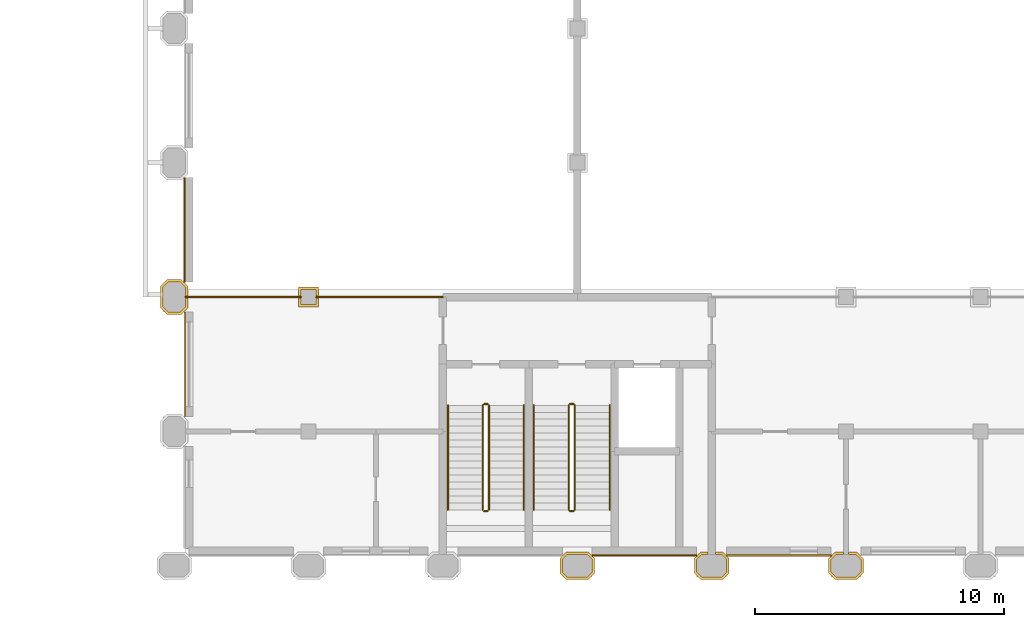
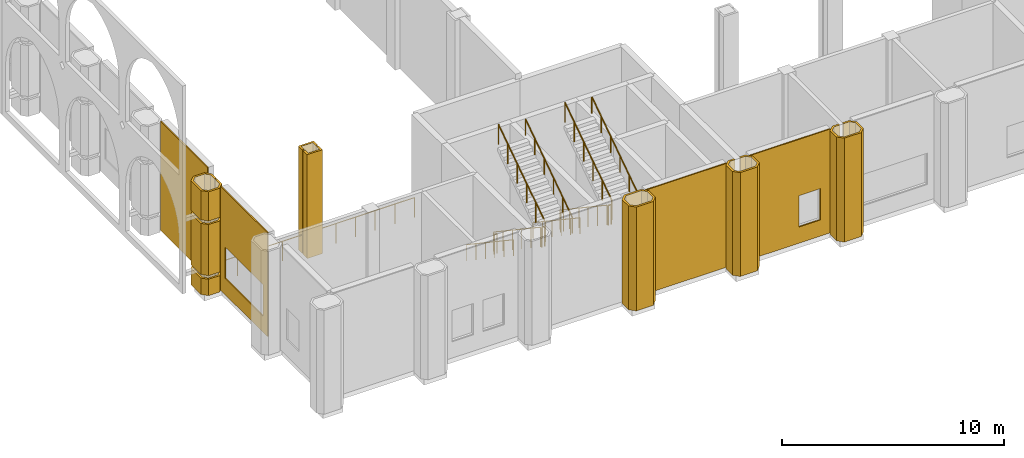
# One storey, part 29 of 34: 14 railings, 12 coverings.
"""IFC4 building model written with IfcOpenShell, lengths in metres."""

from ifc_helpers import new_model, si_unit, direction, frame, frame_2d, origin, origin_2d, place, context, subcontext, project, spatial, polyline, rectangle, circle, outline, extrude, material, layer, layer_set, type_object, element, save


model = new_model("IFC4")

# Units and contexts
model_context = context("Model", 3, precision=1e-05, world=origin(), true_north=direction((0.0, 1.0)))
body_context = subcontext(model_context, "Body", "Model", "MODEL_VIEW")
ifc_project = project(units=[si_unit("LENGTHUNIT", "METRE"), si_unit("AREAUNIT", "SQUARE_METRE"), si_unit("VOLUMEUNIT", "CUBIC_METRE"), si_unit("PLANEANGLEUNIT", "RADIAN"), si_unit("MASSUNIT", "GRAM", prefix="KILO")], contexts=[model_context])

# Site, building, storey
site_placement = place(None, origin())
site = spatial("IfcSite", under=ifc_project, at=site_placement, CompositionType="ELEMENT")
building_placement = place(site_placement, origin())
building = spatial("IfcBuilding", under=site, at=building_placement, Name="Tabaq Tower and Sports Hall", CompositionType="ELEMENT")
storey_placement = place(building_placement, frame((0.0, 0.0, 8.39990234375)))
storey = spatial("IfcBuildingStorey", under=building, at=storey_placement, Name="L01", CompositionType="ELEMENT", Elevation=8.39990234375)

# Coverings
ifc_material_1 = material(Name="Precast concrete C60/75", Category="concrete")
ifc_layer_1 = layer(ifc_material_1, 0.10009765625)
ifc_layer_set_1 = layer_set([ifc_layer_1], Name="Column cladding 100")
covering_type_1 = type_object("IfcCoveringType", Name="Column cladding 100", PredefinedType="CLADDING", material=ifc_layer_set_1)
covering_1_placement = place(storey_placement, origin())
element("IfcCovering", 1, at=covering_1_placement, inside=storey, type_object=covering_type_1, Name="Column cladding L01 HC-13C", PredefinedType="CLADDING", context=body_context, shape_type="SweptSolid", body=[
    extrude(outline(polyline([(64.5087890625, 10.100341796875), (64.250244140625, 10.358642578125), (64.250244140625, 11.2412109375), (64.5087890625, 11.499755859375), (65.09130859375, 11.499755859375), (65.349609375, 11.2412109375), (65.349609375, 10.84033203125), (65.250244140625, 10.84033203125), (65.250244140625, 11.2001953125), (65.050048828125, 11.400390625), (64.5498046875, 11.400390625), (64.349609375, 11.2001953125), (64.349609375, 10.39990234375), (64.5498046875, 10.19970703125), (65.050048828125, 10.19970703125), (65.250244140625, 10.39990234375), (65.250244140625, 10.759765625), (65.349609375, 10.759765625), (65.349609375, 10.358642578125), (65.09130859375, 10.100341796875), (64.5087890625, 10.100341796875)])), origin(), (0.0, 0.0, 1.0), 0.900146484375),
])
covering_2_placement = place(storey_placement, frame((0.0, 0.0, 1.10009765625)))
element("IfcCovering", 2, at=covering_2_placement, inside=storey, type_object=covering_type_1, Name="Column cladding L01 HC-13C 2", PredefinedType="CLADDING", context=body_context, shape_type="SweptSolid", body=[
    extrude(outline(polyline([(64.5087890625, 10.100341796875), (64.250244140625, 10.358642578125), (64.250244140625, 11.2412109375), (64.5087890625, 11.499755859375), (65.09130859375, 11.499755859375), (65.349609375, 11.2412109375), (65.349609375, 10.84033203125), (65.250244140625, 10.84033203125), (65.250244140625, 11.2001953125), (65.050048828125, 11.400390625), (64.5498046875, 11.400390625), (64.349609375, 11.2001953125), (64.349609375, 10.39990234375), (64.5498046875, 10.19970703125), (65.050048828125, 10.19970703125), (65.250244140625, 10.39990234375), (65.250244140625, 10.759765625), (65.349609375, 10.759765625), (65.349609375, 10.358642578125), (65.09130859375, 10.100341796875), (64.5087890625, 10.100341796875)])), origin(), (0.0, 0.0, 1.0), 2.800048828125),
])
covering_3_placement = place(storey_placement, frame((0.0, 0.0, 4.10009765625)))
element("IfcCovering", 3, at=covering_3_placement, inside=storey, type_object=covering_type_1, Name="Column cladding L01 HC-13C 3", PredefinedType="CLADDING", context=body_context, shape_type="SweptSolid", body=[
    extrude(outline(polyline([(64.5087890625, 10.100341796875), (64.250244140625, 10.358642578125), (64.250244140625, 11.2412109375), (64.5087890625, 11.499755859375), (65.09130859375, 11.499755859375), (65.349609375, 11.2412109375), (65.349609375, 10.84033203125), (65.250244140625, 10.84033203125), (65.250244140625, 11.2001953125), (65.050048828125, 11.400390625), (64.5498046875, 11.400390625), (64.349609375, 11.2001953125), (64.349609375, 10.39990234375), (64.5498046875, 10.19970703125), (65.050048828125, 10.19970703125), (65.250244140625, 10.39990234375), (65.250244140625, 10.759765625), (65.349609375, 10.759765625), (65.349609375, 10.358642578125), (65.09130859375, 10.100341796875), (64.5087890625, 10.100341796875)])), origin(), (0.0, 0.0, 1.0), 1.60009765625),
])
covering_4_placement = place(storey_placement, origin())
element("IfcCovering", 4, at=covering_4_placement, inside=storey, type_object=covering_type_1, Name="Column cladding L01 HC-14C", PredefinedType="CLADDING", context=body_context, shape_type="SweptSolid", body=[
    extrude(outline(polyline([(70.599609375, 11.19970703125), (70.599609375, 10.84033203125), (70.500244140625, 10.84033203125), (70.500244140625, 11.100341796875), (69.899658203125, 11.100341796875), (69.899658203125, 10.84033203125), (69.80029296875, 10.84033203125), (69.80029296875, 11.19970703125), (70.599609375, 11.19970703125)])), origin(), (0.0, 0.0, 1.0), 5.7001953125),
])
covering_5_placement = place(storey_placement, origin())
element("IfcCovering", 5, at=covering_5_placement, inside=storey, type_object=covering_type_1, Name="Column cladding L01 HC-14C 2", PredefinedType="CLADDING", context=body_context, shape_type="SweptSolid", body=[
    extrude(outline(polyline([(70.599609375, 10.400390625), (69.80029296875, 10.400390625), (69.80029296875, 10.759765625), (69.899658203125, 10.759765625), (69.899658203125, 10.499755859375), (70.500244140625, 10.499755859375), (70.500244140625, 10.759765625), (70.599609375, 10.759765625), (70.599609375, 10.400390625)])), origin(), (0.0, 0.0, 1.0), 5.7001953125),
])
covering_6_placement = place(storey_placement, origin())
element("IfcCovering", 6, at=covering_6_placement, inside=storey, type_object=covering_type_1, Name="Column cladding L01 HC-16A", PredefinedType="CLADDING", context=body_context, shape_type="SweptSolid", body=[
    extrude(outline(polyline([(80.30029296875, -0.291259765625), (80.30029296875, 0.291259765625), (80.55859375, 0.5498046875), (81.44140625, 0.5498046875), (81.69970703125, 0.291259765625), (81.69970703125, -0.291259765625), (81.44140625, -0.5498046875), (80.55859375, -0.5498046875), (80.30029296875, -0.291259765625)]), holes=[polyline([(81.400146484375, -0.4501953125), (81.600341796875, -0.250244140625), (81.600341796875, 0.250244140625), (81.400146484375, 0.4501953125), (80.599853515625, 0.4501953125), (80.399658203125, 0.250244140625), (80.399658203125, -0.250244140625), (80.599853515625, -0.4501953125), (81.400146484375, -0.4501953125)])]), origin(), (0.0, 0.0, 1.0), 5.7001953125),
])
covering_7_placement = place(storey_placement, origin())
element("IfcCovering", 7, at=covering_7_placement, inside=storey, type_object=covering_type_1, Name="Column cladding L01 HC-17A", PredefinedType="CLADDING", context=body_context, shape_type="SweptSolid", body=[
    extrude(outline(polyline([(85.7001953125, 0.291259765625), (85.958740234375, 0.5498046875), (86.249755859375, 0.5498046875), (86.249755859375, 0.4501953125), (85.999755859375, 0.4501953125), (85.7998046875, 0.250244140625), (85.7998046875, -0.250244140625), (85.999755859375, -0.4501953125), (86.800048828125, -0.4501953125), (87.000244140625, -0.250244140625), (87.000244140625, 0.250244140625), (86.800048828125, 0.4501953125), (86.55029296875, 0.4501953125), (86.55029296875, 0.5498046875), (86.84130859375, 0.5498046875), (87.099609375, 0.291259765625), (87.099609375, -0.291259765625), (86.84130859375, -0.5498046875), (85.958740234375, -0.5498046875), (85.7001953125, -0.291259765625), (85.7001953125, 0.291259765625)])), origin(), (0.0, 0.0, 1.0), 5.7001953125),
])
covering_8_placement = place(storey_placement, origin())
element("IfcCovering", 8, at=covering_8_placement, inside=storey, type_object=covering_type_1, Name="Column cladding L01 HC-18A", PredefinedType="CLADDING", context=body_context, shape_type="SweptSolid", body=[
    extrude(outline(polyline([(91.100341796875, 0.291259765625), (91.358642578125, 0.5498046875), (91.69970703125, 0.5498046875), (91.69970703125, 0.4501953125), (91.39990234375, 0.4501953125), (91.19970703125, 0.250244140625), (91.19970703125, -0.250244140625), (91.39990234375, -0.4501953125), (92.2001953125, -0.4501953125), (92.400390625, -0.250244140625), (92.400390625, 0.250244140625), (92.2001953125, 0.4501953125), (91.900390625, 0.4501953125), (91.900390625, 0.5498046875), (92.2412109375, 0.5498046875), (92.499755859375, 0.291259765625), (92.499755859375, -0.291259765625), (92.2412109375, -0.5498046875), (91.358642578125, -0.5498046875), (91.100341796875, -0.291259765625), (91.100341796875, 0.291259765625)])), origin(), (0.0, 0.0, 1.0), 5.7001953125),
])

# Railings
ifc_material_2 = material(Name="Stainless steel and glass balustrade", Category="steel")
railing_type_1 = type_object("IfcRailingType", Name="HALL GUARD 1100", PredefinedType="GUARDRAIL", material=ifc_material_2)
railing_1_placement = place(storey_placement, frame((77.199951171875, 6.449951171875, 0.1875)))
element("IfcRailing", 9, at=railing_1_placement, inside=storey, type_object=railing_type_1, Name="L01 ST-H1 stair guard 1", PredefinedType="GUARDRAIL", context=body_context, shape_type="SweptSolid", body=[
    extrude(circle(Radius=0.02392578125, at=origin_2d()), frame((0.0, 0.0, 1.076171875), z_axis=(0.0, -0.830904186295, 0.556415522067), x_axis=(1.0, 0.0, 0.0)), (0.0, 0.0, 1.0), 5.0546875),
    extrude(circle(Radius=0.02099609375, at=origin_2d()), origin(), (0.0, 0.0, 1.0), 1.052001953125),
    extrude(circle(Radius=0.02099609375, at=origin_2d()), frame((0.0, -0.840087890625, 0.5625)), (0.0, 0.0, 1.0), 1.052001953125),
    extrude(circle(Radius=0.02099609375, at=origin_2d()), frame((0.0, -1.679931640625, 1.125)), (0.0, 0.0, 1.0), 1.052001953125),
    extrude(circle(Radius=0.02099609375, at=origin_2d()), frame((0.0, -2.52001953125, 1.6875)), (0.0, 0.0, 1.0), 1.052001953125),
    extrude(circle(Radius=0.02099609375, at=origin_2d()), frame((0.0, -3.35986328125, 2.25)), (0.0, 0.0, 1.0), 1.052001953125),
    extrude(circle(Radius=0.02099609375, at=origin_2d()), frame((0.0, -4.199951171875, 2.8125)), (0.0, 0.0, 1.0), 1.052001953125),
])
railing_2_placement = place(storey_placement, frame((77.25, 2.199951171875, 3.0)))
element("IfcRailing", 10, at=railing_2_placement, inside=storey, type_object=railing_type_1, Name="L01 ST-H1 stair guard 2", PredefinedType="GUARDRAIL", context=body_context, shape_type="SweptSolid", body=[
    extrude(circle(Radius=0.02392578125, at=origin_2d()), frame((0.0, 0.0, 1.076171875), z_axis=(1.0, 0.0, 0.0), x_axis=(0.0, 1.0, 0.0)), (0.0, 0.0, 1.0), 0.14990234375),
    extrude(circle(Radius=0.02099609375, at=origin_2d()), origin(), (0.0, 0.0, 1.0), 1.052001953125),
    extrude(circle(Radius=0.02099609375, at=origin_2d()), frame((0.14990234375, 0.0, 0.0)), (0.0, 0.0, 1.0), 1.052001953125),
])
railing_3_placement = place(storey_placement, frame((77.449951171875, 2.25, 3.1875)))
element("IfcRailing", 11, at=railing_3_placement, inside=storey, type_object=railing_type_1, Name="L01 ST-H1 stair guard 3", PredefinedType="GUARDRAIL", context=body_context, shape_type="SweptSolid", body=[
    extrude(circle(Radius=0.02392578125, at=origin_2d()), frame((0.0, 0.0, 1.076171875), z_axis=(0.0, 0.830904186295, 0.556415522067), x_axis=(-1.0, 0.0, 0.0)), (0.0, 0.0, 1.0), 5.0546875),
    extrude(circle(Radius=0.02099609375, at=origin_2d()), origin(), (0.0, 0.0, 1.0), 1.052001953125),
    extrude(circle(Radius=0.02099609375, at=origin_2d()), frame((0.0, 0.840087890625, 0.5625)), (0.0, 0.0, 1.0), 1.052001953125),
    extrude(circle(Radius=0.02099609375, at=origin_2d()), frame((0.0, 1.679931640625, 1.125)), (0.0, 0.0, 1.0), 1.052001953125),
    extrude(circle(Radius=0.02099609375, at=origin_2d()), frame((0.0, 2.52001953125, 1.6875)), (0.0, 0.0, 1.0), 1.052001953125),
    extrude(circle(Radius=0.02099609375, at=origin_2d()), frame((0.0, 3.35986328125, 2.25)), (0.0, 0.0, 1.0), 1.052001953125),
    extrude(circle(Radius=0.02099609375, at=origin_2d()), frame((0.0, 4.199951171875, 2.8125)), (0.0, 0.0, 1.0), 1.052001953125),
])
railing_4_placement = place(storey_placement, frame((77.25, 6.5, 0.0)))
element("IfcRailing", 12, at=railing_4_placement, inside=storey, type_object=railing_type_1, Name="L01 ST-H1 stair guard 4", PredefinedType="GUARDRAIL", context=body_context, shape_type="SweptSolid", body=[
    extrude(circle(Radius=0.02392578125, at=origin_2d()), frame((0.0, 0.0, 1.076171875), z_axis=(1.0, 0.0, 0.0), x_axis=(0.0, 1.0, 0.0)), (0.0, 0.0, 1.0), 0.14990234375),
    extrude(circle(Radius=0.02099609375, at=origin_2d()), origin(), (0.0, 0.0, 1.0), 1.052001953125),
    extrude(circle(Radius=0.02099609375, at=origin_2d()), frame((0.14990234375, 0.0, 0.0)), (0.0, 0.0, 1.0), 1.052001953125),
])
railing_5_placement = place(storey_placement, frame((80.64990234375, 6.449951171875, 0.1875)))
element("IfcRailing", 13, at=railing_5_placement, inside=storey, type_object=railing_type_1, Name="L01 ST-H2 stair guard 1", PredefinedType="GUARDRAIL", context=body_context, shape_type="SweptSolid", body=[
    extrude(circle(Radius=0.02392578125, at=origin_2d()), frame((0.0, 0.0, 1.076171875), z_axis=(0.0, -0.830904186295, 0.556415522067), x_axis=(1.0, 0.0, 0.0)), (0.0, 0.0, 1.0), 5.0546875),
    extrude(circle(Radius=0.02099609375, at=origin_2d()), origin(), (0.0, 0.0, 1.0), 1.052001953125),
    extrude(circle(Radius=0.02099609375, at=origin_2d()), frame((0.0, -0.840087890625, 0.5625)), (0.0, 0.0, 1.0), 1.052001953125),
    extrude(circle(Radius=0.02099609375, at=origin_2d()), frame((0.0, -1.679931640625, 1.125)), (0.0, 0.0, 1.0), 1.052001953125),
    extrude(circle(Radius=0.02099609375, at=origin_2d()), frame((0.0, -2.52001953125, 1.6875)), (0.0, 0.0, 1.0), 1.052001953125),
    extrude(circle(Radius=0.02099609375, at=origin_2d()), frame((0.0, -3.35986328125, 2.25)), (0.0, 0.0, 1.0), 1.052001953125),
    extrude(circle(Radius=0.02099609375, at=origin_2d()), frame((0.0, -4.199951171875, 2.8125)), (0.0, 0.0, 1.0), 1.052001953125),
])
railing_6_placement = place(storey_placement, frame((80.699951171875, 2.199951171875, 3.0)))
element("IfcRailing", 14, at=railing_6_placement, inside=storey, type_object=railing_type_1, Name="L01 ST-H2 stair guard 2", PredefinedType="GUARDRAIL", context=body_context, shape_type="SweptSolid", body=[
    extrude(circle(Radius=0.02392578125, at=origin_2d()), frame((0.0, 0.0, 1.076171875), z_axis=(1.0, 0.0, 0.0), x_axis=(0.0, 1.0, 0.0)), (0.0, 0.0, 1.0), 0.150146484375),
    extrude(circle(Radius=0.02099609375, at=origin_2d()), origin(), (0.0, 0.0, 1.0), 1.052001953125),
    extrude(circle(Radius=0.02099609375, at=origin_2d()), frame((0.150146484375, 0.0, 0.0)), (0.0, 0.0, 1.0), 1.052001953125),
])
railing_7_placement = place(storey_placement, frame((80.89990234375, 2.25, 3.1875)))
element("IfcRailing", 15, at=railing_7_placement, inside=storey, type_object=railing_type_1, Name="L01 ST-H2 stair guard 3", PredefinedType="GUARDRAIL", context=body_context, shape_type="SweptSolid", body=[
    extrude(circle(Radius=0.02392578125, at=origin_2d()), frame((0.0, 0.0, 1.076171875), z_axis=(0.0, 0.830904186295, 0.556415522067), x_axis=(-1.0, 0.0, 0.0)), (0.0, 0.0, 1.0), 5.0546875),
    extrude(circle(Radius=0.02099609375, at=origin_2d()), origin(), (0.0, 0.0, 1.0), 1.052001953125),
    extrude(circle(Radius=0.02099609375, at=origin_2d()), frame((0.0, 0.840087890625, 0.5625)), (0.0, 0.0, 1.0), 1.052001953125),
    extrude(circle(Radius=0.02099609375, at=origin_2d()), frame((0.0, 1.679931640625, 1.125)), (0.0, 0.0, 1.0), 1.052001953125),
    extrude(circle(Radius=0.02099609375, at=origin_2d()), frame((0.0, 2.52001953125, 1.6875)), (0.0, 0.0, 1.0), 1.052001953125),
    extrude(circle(Radius=0.02099609375, at=origin_2d()), frame((0.0, 3.35986328125, 2.25)), (0.0, 0.0, 1.0), 1.052001953125),
    extrude(circle(Radius=0.02099609375, at=origin_2d()), frame((0.0, 4.199951171875, 2.8125)), (0.0, 0.0, 1.0), 1.052001953125),
])
railing_8_placement = place(storey_placement, frame((80.699951171875, 6.5, 0.0)))
element("IfcRailing", 16, at=railing_8_placement, inside=storey, type_object=railing_type_1, Name="L01 ST-H2 stair guard 4", PredefinedType="GUARDRAIL", context=body_context, shape_type="SweptSolid", body=[
    extrude(circle(Radius=0.02392578125, at=origin_2d()), frame((0.0, 0.0, 1.076171875), z_axis=(1.0, 0.0, 0.0), x_axis=(0.0, 1.0, 0.0)), (0.0, 0.0, 1.0), 0.150146484375),
    extrude(circle(Radius=0.02099609375, at=origin_2d()), origin(), (0.0, 0.0, 1.0), 1.052001953125),
    extrude(circle(Radius=0.02099609375, at=origin_2d()), frame((0.150146484375, 0.0, 0.0)), (0.0, 0.0, 1.0), 1.052001953125),
])
railing_9_placement = place(storey_placement, frame((65.25, 10.800048828125, 0.0)))
element("IfcRailing", 17, at=railing_9_placement, inside=storey, type_object=railing_type_1, Name="L01 gallery guard", PredefinedType="GUARDRAIL", context=body_context, shape_type="SweptSolid", body=[
    extrude(circle(Radius=0.02392578125, at=origin_2d()), frame((0.0, 0.0, 1.076171875), z_axis=(1.0, 0.0, 0.0), x_axis=(0.0, 1.0, 0.0)), (0.0, 0.0, 1.0), 4.64990234375),
    extrude(circle(Radius=0.02099609375, at=origin_2d()), origin(), (0.0, 0.0, 1.0), 1.052001953125),
    extrude(circle(Radius=0.02099609375, at=origin_2d()), frame((1.16259765625, 0.0, 0.0)), (0.0, 0.0, 1.0), 1.052001953125),
    extrude(circle(Radius=0.02099609375, at=origin_2d()), frame((2.324951171875, 0.0, 0.0)), (0.0, 0.0, 1.0), 1.052001953125),
    extrude(circle(Radius=0.02099609375, at=origin_2d()), frame((3.4873046875, 0.0, 0.0)), (0.0, 0.0, 1.0), 1.052001953125),
    extrude(circle(Radius=0.02099609375, at=origin_2d()), frame((4.64990234375, 0.0, 0.0)), (0.0, 0.0, 1.0), 1.052001953125),
])
railing_10_placement = place(storey_placement, frame((70.5, 10.800048828125, 0.0)))
element("IfcRailing", 18, at=railing_10_placement, inside=storey, type_object=railing_type_1, Name="L01 gallery guard", PredefinedType="GUARDRAIL", context=body_context, shape_type="SweptSolid", body=[
    extrude(circle(Radius=0.02392578125, at=origin_2d()), frame((0.0, 0.0, 1.076171875), z_axis=(1.0, 0.0, 0.0), x_axis=(0.0, 1.0, 0.0)), (0.0, 0.0, 1.0), 5.10009765625),
    extrude(circle(Radius=0.02099609375, at=origin_2d()), origin(), (0.0, 0.0, 1.0), 1.052001953125),
    extrude(circle(Radius=0.02099609375, at=origin_2d()), frame((1.02001953125, 0.0, 0.0)), (0.0, 0.0, 1.0), 1.052001953125),
    extrude(circle(Radius=0.02099609375, at=origin_2d()), frame((2.0400390625, 0.0, 0.0)), (0.0, 0.0, 1.0), 1.052001953125),
    extrude(circle(Radius=0.02099609375, at=origin_2d()), frame((3.06005859375, 0.0, 0.0)), (0.0, 0.0, 1.0), 1.052001953125),
    extrude(circle(Radius=0.02099609375, at=origin_2d()), frame((4.080078125, 0.0, 0.0)), (0.0, 0.0, 1.0), 1.052001953125),
    extrude(circle(Radius=0.02099609375, at=origin_2d()), frame((5.10009765625, 0.0, 0.0)), (0.0, 0.0, 1.0), 1.052001953125),
])
ifc_material_3 = material(Name="Stainless steel handrail", Category="steel")
railing_type_2 = type_object("IfcRailingType", Name="HALL HANDRAIL 900", PredefinedType="HANDRAIL", material=ifc_material_3)
railing_11_placement = place(storey_placement, frame((75.800048828125, 6.449951171875, 0.1875)))
element("IfcRailing", 19, at=railing_11_placement, inside=storey, type_object=railing_type_2, Name="L01 ST-H1 stair handrail 1", PredefinedType="HANDRAIL", context=body_context, shape_type="SweptSolid", body=[
    extrude(circle(Radius=0.02392578125, at=origin_2d()), frame((0.0, 0.0, 0.8759765625), z_axis=(0.0, -0.830904186295, 0.556415522067), x_axis=(1.0, 0.0, 0.0)), (0.0, 0.0, 1.0), 5.0546875),
    extrude(circle(Radius=0.02099609375, at=origin_2d()), origin(), (0.0, 0.0, 1.0), 0.851806640625),
    extrude(circle(Radius=0.02099609375, at=origin_2d()), frame((0.0, -0.840087890625, 0.5625)), (0.0, 0.0, 1.0), 0.851806640625),
    extrude(circle(Radius=0.02099609375, at=origin_2d()), frame((0.0, -1.679931640625, 1.125)), (0.0, 0.0, 1.0), 0.851806640625),
    extrude(circle(Radius=0.02099609375, at=origin_2d()), frame((0.0, -2.52001953125, 1.6875)), (0.0, 0.0, 1.0), 0.851806640625),
    extrude(circle(Radius=0.02099609375, at=origin_2d()), frame((0.0, -3.35986328125, 2.25)), (0.0, 0.0, 1.0), 0.851806640625),
    extrude(circle(Radius=0.02099609375, at=origin_2d()), frame((0.0, -4.199951171875, 2.8125)), (0.0, 0.0, 1.0), 0.851806640625),
])
railing_12_placement = place(storey_placement, frame((78.85009765625, 2.25, 3.1875)))
element("IfcRailing", 20, at=railing_12_placement, inside=storey, type_object=railing_type_2, Name="L01 ST-H1 stair handrail 2", PredefinedType="HANDRAIL", context=body_context, shape_type="SweptSolid", body=[
    extrude(circle(Radius=0.02392578125, at=origin_2d()), frame((0.0, 0.0, 0.8759765625), z_axis=(0.0, 0.830904186295, 0.556415522067), x_axis=(-1.0, 0.0, 0.0)), (0.0, 0.0, 1.0), 5.0546875),
    extrude(circle(Radius=0.02099609375, at=origin_2d()), origin(), (0.0, 0.0, 1.0), 0.851806640625),
    extrude(circle(Radius=0.02099609375, at=origin_2d()), frame((0.0, 0.840087890625, 0.5625)), (0.0, 0.0, 1.0), 0.851806640625),
    extrude(circle(Radius=0.02099609375, at=origin_2d()), frame((0.0, 1.679931640625, 1.125)), (0.0, 0.0, 1.0), 0.851806640625),
    extrude(circle(Radius=0.02099609375, at=origin_2d()), frame((0.0, 2.52001953125, 1.6875)), (0.0, 0.0, 1.0), 0.851806640625),
    extrude(circle(Radius=0.02099609375, at=origin_2d()), frame((0.0, 3.35986328125, 2.25)), (0.0, 0.0, 1.0), 0.851806640625),
    extrude(circle(Radius=0.02099609375, at=origin_2d()), frame((0.0, 4.199951171875, 2.8125)), (0.0, 0.0, 1.0), 0.851806640625),
])
railing_13_placement = place(storey_placement, frame((79.25, 6.449951171875, 0.1875)))
element("IfcRailing", 21, at=railing_13_placement, inside=storey, type_object=railing_type_2, Name="L01 ST-H2 stair handrail 1", PredefinedType="HANDRAIL", context=body_context, shape_type="SweptSolid", body=[
    extrude(circle(Radius=0.02392578125, at=origin_2d()), frame((0.0, 0.0, 0.8759765625), z_axis=(0.0, -0.830904186295, 0.556415522067), x_axis=(1.0, 0.0, 0.0)), (0.0, 0.0, 1.0), 5.0546875),
    extrude(circle(Radius=0.02099609375, at=origin_2d()), origin(), (0.0, 0.0, 1.0), 0.851806640625),
    extrude(circle(Radius=0.02099609375, at=origin_2d()), frame((0.0, -0.840087890625, 0.5625)), (0.0, 0.0, 1.0), 0.851806640625),
    extrude(circle(Radius=0.02099609375, at=origin_2d()), frame((0.0, -1.679931640625, 1.125)), (0.0, 0.0, 1.0), 0.851806640625),
    extrude(circle(Radius=0.02099609375, at=origin_2d()), frame((0.0, -2.52001953125, 1.6875)), (0.0, 0.0, 1.0), 0.851806640625),
    extrude(circle(Radius=0.02099609375, at=origin_2d()), frame((0.0, -3.35986328125, 2.25)), (0.0, 0.0, 1.0), 0.851806640625),
    extrude(circle(Radius=0.02099609375, at=origin_2d()), frame((0.0, -4.199951171875, 2.8125)), (0.0, 0.0, 1.0), 0.851806640625),
])
railing_14_placement = place(storey_placement, frame((82.300048828125, 2.25, 3.1875)))
element("IfcRailing", 22, at=railing_14_placement, inside=storey, type_object=railing_type_2, Name="L01 ST-H2 stair handrail 2", PredefinedType="HANDRAIL", context=body_context, shape_type="SweptSolid", body=[
    extrude(circle(Radius=0.02392578125, at=origin_2d()), frame((0.0, 0.0, 0.8759765625), z_axis=(0.0, 0.830904186295, 0.556415522067), x_axis=(-1.0, 0.0, 0.0)), (0.0, 0.0, 1.0), 5.0546875),
    extrude(circle(Radius=0.02099609375, at=origin_2d()), origin(), (0.0, 0.0, 1.0), 0.851806640625),
    extrude(circle(Radius=0.02099609375, at=origin_2d()), frame((0.0, 0.840087890625, 0.5625)), (0.0, 0.0, 1.0), 0.851806640625),
    extrude(circle(Radius=0.02099609375, at=origin_2d()), frame((0.0, 1.679931640625, 1.125)), (0.0, 0.0, 1.0), 0.851806640625),
    extrude(circle(Radius=0.02099609375, at=origin_2d()), frame((0.0, 2.52001953125, 1.6875)), (0.0, 0.0, 1.0), 0.851806640625),
    extrude(circle(Radius=0.02099609375, at=origin_2d()), frame((0.0, 3.35986328125, 2.25)), (0.0, 0.0, 1.0), 0.851806640625),
    extrude(circle(Radius=0.02099609375, at=origin_2d()), frame((0.0, 4.199951171875, 2.8125)), (0.0, 0.0, 1.0), 0.851806640625),
])

# Coverings
ifc_material_4 = material(Name="Precast concrete C60/75", Category="concrete")
ifc_layer_2 = layer(ifc_material_4, 0.06005859375)
ifc_layer_set_2 = layer_set([ifc_layer_2], Name="White precast cladding panel 60 C60/75")
covering_type_2 = type_object("IfcCoveringType", Name="White precast cladding panel 60 C60/75", PredefinedType="CLADDING", material=ifc_layer_set_2)
covering_9_placement = place(storey_placement, frame((81.60009765625, 0.419921875, 0.0), z_axis=(0.0, 0.0, 1.0), x_axis=(1.0, 0.0, 0.0)))
element("IfcCovering", 23, at=covering_9_placement, inside=storey, type_object=covering_type_2, Name="White precast cladding panel L01 L01", PredefinedType="CLADDING", context=body_context, shape_type="SweptSolid", body=[
    extrude(rectangle(XDim=4.199951171875, YDim=0.06005859375, at=frame_2d((2.10009765625, 0.0))), origin(), (0.0, 0.0, 1.0), 5.7001953125),
])
covering_10_placement = place(storey_placement, frame((87.0, 0.419921875, 0.0), z_axis=(0.0, 0.0, 1.0), x_axis=(1.0, 0.0, 0.0)))
element("IfcCovering", 24, at=covering_10_placement, inside=storey, type_object=covering_type_2, Name="White precast cladding panel L01 L01", PredefinedType="CLADDING", context=body_context, shape_type="SweptSolid", body=[
    extrude(outline(polyline([(0.0, 0.0), (4.199951171875, 0.0), (4.199951171875, 5.7001953125), (0.0, 5.7001953125), (0.0, 0.0)]), holes=[polyline([(2.5400390625, 0.89013671875), (2.5400390625, 2.610107421875), (3.659912109375, 2.610107421875), (3.659912109375, 0.89013671875), (2.5400390625, 0.89013671875)])]), frame((0.0, 0.030029296875, 0.0), z_axis=(0.0, -1.0, 0.0), x_axis=(1.0, 0.0, 0.0)), (0.0, 0.0, 1.0), 0.06005859375),
])
covering_11_placement = place(storey_placement, frame((65.219970703125, 6.0, 0.0), z_axis=(0.0, 0.0, 1.0), x_axis=(0.0, 1.0, 0.0)))
element("IfcCovering", 25, at=covering_11_placement, inside=storey, type_object=covering_type_2, Name="White precast cladding panel L01 L01", PredefinedType="CLADDING", context=body_context, shape_type="SweptSolid", body=[
    extrude(outline(polyline([(0.0, 0.0), (4.199951171875, 0.0), (4.199951171875, 5.7001953125), (0.0, 5.7001953125), (0.0, 0.0)]), holes=[polyline([(0.389892578125, 0.89013671875), (0.389892578125, 2.610107421875), (3.81005859375, 2.610107421875), (3.81005859375, 0.89013671875), (0.389892578125, 0.89013671875)])]), frame((0.0, 0.030029296875, 0.0), z_axis=(0.0, -1.0, 0.0), x_axis=(1.0, 0.0, 0.0)), (0.0, 0.0, 1.0), 0.06005859375),
])
covering_12_placement = place(storey_placement, frame((65.219970703125, 11.39990234375, 0.0), z_axis=(0.0, 0.0, 1.0), x_axis=(0.0, 1.0, 0.0)))
element("IfcCovering", 26, at=covering_12_placement, inside=storey, type_object=covering_type_2, Name="White precast cladding panel L01 L01", PredefinedType="CLADDING", context=body_context, shape_type="SweptSolid", body=[
    extrude(rectangle(XDim=4.2001953125, YDim=0.06005859375, at=frame_2d((2.10009765625, 0.0))), origin(), (0.0, 0.0, 1.0), 6.0),
])

save(model, "model.ifc")
